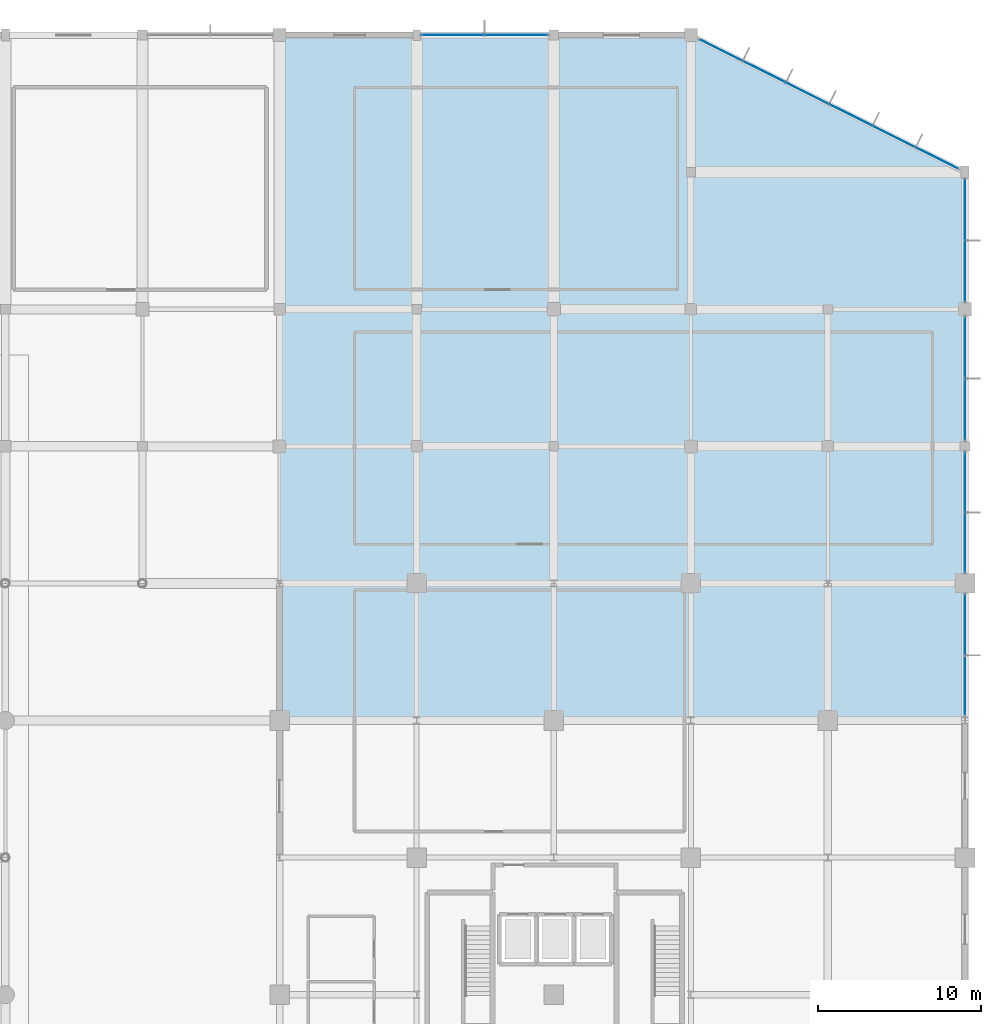
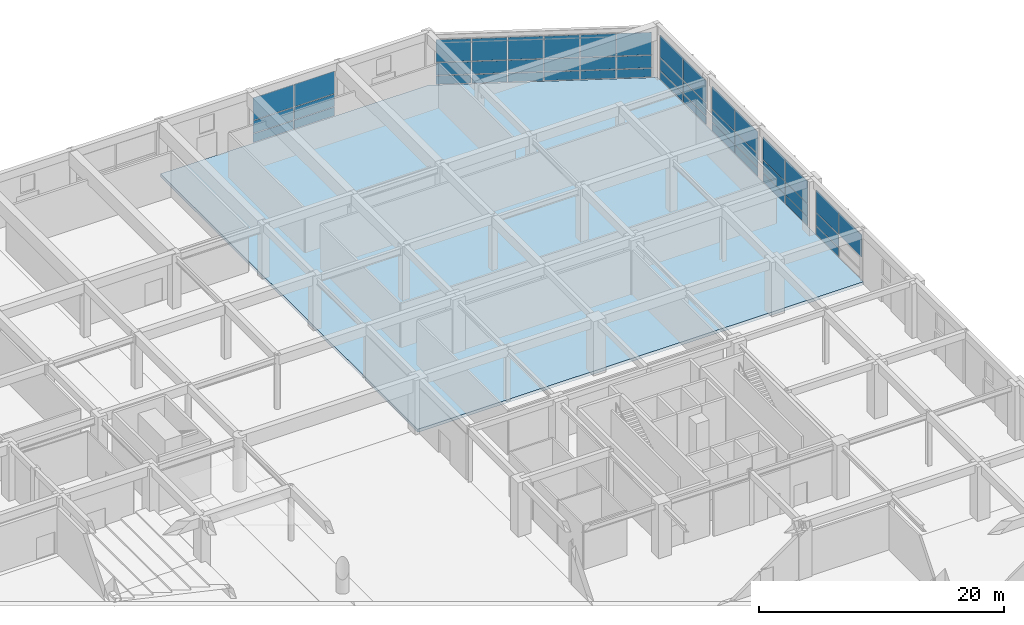
# One storey, part 40 of 62: 46 plates, 1 slab, 6 elements without a shape of their own.
"""IFC4 building model written with IfcOpenShell, lengths in metres."""

from ifc_helpers import new_model, si_unit, direction, frame, origin, origin_2d, place, context, subcontext, project, spatial, polyline, rectangle, outline, extrude, material, layer, layer_set, type_object, element, aggregate, save


model = new_model("IFC4")

# Units and contexts
model_context = context("Model", 3, precision=1e-05, world=origin(), true_north=direction((0.0, 1.0)))
body_context = subcontext(model_context, "Body", "Model", "MODEL_VIEW")
ifc_project = project(units=[si_unit("LENGTHUNIT", "METRE"), si_unit("AREAUNIT", "SQUARE_METRE"), si_unit("VOLUMEUNIT", "CUBIC_METRE"), si_unit("PLANEANGLEUNIT", "RADIAN"), si_unit("MASSUNIT", "GRAM", prefix="KILO")], contexts=[model_context])

# Site, building, storey
site_placement = place(None, origin())
site = spatial("IfcSite", under=ifc_project, at=site_placement, CompositionType="ELEMENT")
building_placement = place(site_placement, origin())
building = spatial("IfcBuilding", under=site, at=building_placement, Name="Xuanlan Plaza Opera House", CompositionType="ELEMENT")
storey_placement = place(building_placement, origin())
storey = spatial("IfcBuildingStorey", under=building, at=storey_placement, Name="L00", CompositionType="ELEMENT", Elevation=0.0)

# Curtain wall, plates
ifc_material_1 = material(Name="Anodised Aluminium 6063-T6 and Low-E Glass", Category="aluminium")
curtain_wall_type_1 = type_object("IfcCurtainWallType", Name="ENV-CW-CW-02", PredefinedType="USERDEFINED", material=ifc_material_1)
curtain_wall_1_placement = place(storey_placement, origin())
curtain_wall_1 = element("IfcCurtainWall", 1, at=curtain_wall_1_placement, inside=storey, type_object=curtain_wall_type_1, Name="Unitised Curtain Wall L00-028", ObjectType="UNITISED CURTAIN WALL", PredefinedType="USERDEFINED")
ifc_material_2 = material(Name="Laminated Acoustic Double Glazing", Category="glass")
ifc_layer_1 = layer(ifc_material_2, 0.028076171875)
ifc_layer_set_1 = layer_set([ifc_layer_1], Name="Laminated Acoustic Double Glazing")
plate_type_1 = type_object("IfcPlateType", Name="ENV-CWP-01", PredefinedType="CURTAIN_PANEL", material=ifc_layer_set_1)
plate_1_placement = place(storey_placement, frame((168.0, 94.657470703125, 0.074951171875), z_axis=(0.0, 0.0, 1.0), x_axis=(0.0, 1.0, 0.0)))
plate_1 = element("IfcPlate", 2, at=plate_1_placement, type_object=plate_type_1, Name="CW-02 panel 1.1", PredefinedType="CURTAIN_PANEL", context=body_context, shape_type="SweptSolid", body=[
    extrude(rectangle(XDim=3.695068359375, YDim=0.028076171875, at=origin_2d()), origin(), (0.0, 0.0, 1.0), 0.83740234375),
])
plate_2_placement = place(storey_placement, frame((168.0, 94.657470703125, 0.987548828125), z_axis=(0.0, 0.0, 1.0), x_axis=(0.0, 1.0, 0.0)))
plate_2 = element("IfcPlate", 3, at=plate_2_placement, type_object=plate_type_1, Name="CW-02 panel 1.2", PredefinedType="CURTAIN_PANEL", context=body_context, shape_type="SweptSolid", body=[
    extrude(rectangle(XDim=3.695068359375, YDim=0.028076171875, at=origin_2d()), origin(), (0.0, 0.0, 1.0), 1.22509765625),
])
plate_3_placement = place(storey_placement, frame((168.0, 94.657470703125, 2.28759765625), z_axis=(0.0, 0.0, 1.0), x_axis=(0.0, 1.0, 0.0)))
plate_3 = element("IfcPlate", 4, at=plate_3_placement, type_object=plate_type_1, Name="CW-02 panel 1.3", PredefinedType="CURTAIN_PANEL", context=body_context, shape_type="SweptSolid", body=[
    extrude(rectangle(XDim=3.695068359375, YDim=0.028076171875, at=origin_2d()), origin(), (0.0, 0.0, 1.0), 2.217529296875),
])
plate_4_placement = place(storey_placement, frame((168.0, 98.4423828125, 0.074951171875), z_axis=(0.0, 0.0, 1.0), x_axis=(0.0, 1.0, 0.0)))
plate_4 = element("IfcPlate", 5, at=plate_4_placement, type_object=plate_type_1, Name="CW-02 panel 2.1", PredefinedType="CURTAIN_PANEL", context=body_context, shape_type="SweptSolid", body=[
    extrude(rectangle(XDim=3.695068359375, YDim=0.028076171875, at=origin_2d()), origin(), (0.0, 0.0, 1.0), 0.83740234375),
])
plate_5_placement = place(storey_placement, frame((168.0, 98.4423828125, 0.987548828125), z_axis=(0.0, 0.0, 1.0), x_axis=(0.0, 1.0, 0.0)))
plate_5 = element("IfcPlate", 6, at=plate_5_placement, type_object=plate_type_1, Name="CW-02 panel 2.2", PredefinedType="CURTAIN_PANEL", context=body_context, shape_type="SweptSolid", body=[
    extrude(rectangle(XDim=3.695068359375, YDim=0.028076171875, at=origin_2d()), origin(), (0.0, 0.0, 1.0), 1.22509765625),
])
plate_6_placement = place(storey_placement, frame((168.0, 98.4423828125, 2.28759765625), z_axis=(0.0, 0.0, 1.0), x_axis=(0.0, 1.0, 0.0)))
plate_6 = element("IfcPlate", 7, at=plate_6_placement, type_object=plate_type_1, Name="CW-02 panel 2.3", PredefinedType="CURTAIN_PANEL", context=body_context, shape_type="SweptSolid", body=[
    extrude(rectangle(XDim=3.695068359375, YDim=0.028076171875, at=origin_2d()), origin(), (0.0, 0.0, 1.0), 2.217529296875),
])
aggregate(curtain_wall_1, [plate_1, plate_2, plate_3, plate_4, plate_5, plate_6])

curtain_wall_type_2 = type_object("IfcCurtainWallType", Name="ENV-CW-CW-04", PredefinedType="USERDEFINED", material=ifc_material_1)
curtain_wall_2_placement = place(storey_placement, origin())
curtain_wall_2 = element("IfcCurtainWall", 8, at=curtain_wall_2_placement, inside=storey, type_object=curtain_wall_type_2, Name="Unitised Curtain Wall L00-030", ObjectType="UNITISED CURTAIN WALL", PredefinedType="USERDEFINED")
ifc_layer_2 = layer(ifc_material_2, 0.031982421875)
ifc_layer_set_2 = layer_set([ifc_layer_2], Name="Laminated Acoustic Double Glazing")
plate_type_2 = type_object("IfcPlateType", Name="ENV-CWP-02", PredefinedType="CURTAIN_PANEL", material=ifc_layer_set_2)
plate_7_placement = place(storey_placement, frame((166.2841796875, 110.057861328125, 0.06982421875), z_axis=(0.0, 0.0, 1.0), x_axis=(-0.894427191001, 0.447213595499, 0.0)))
plate_7 = element("IfcPlate", 9, at=plate_7_placement, type_object=plate_type_2, Name="CW-04 panel 1.1", PredefinedType="CURTAIN_PANEL", context=body_context, shape_type="SweptSolid", body=[
    extrude(rectangle(XDim=2.857666015625, YDim=0.031982421875, at=origin_2d()), origin(), (0.0, 0.0, 1.0), 0.844970703125),
])
plate_8_placement = place(storey_placement, frame((166.2841796875, 110.057861328125, 0.985107421875), z_axis=(0.0, 0.0, 1.0), x_axis=(-0.894427191001, 0.447213595499, 0.0)))
plate_8 = element("IfcPlate", 10, at=plate_8_placement, type_object=plate_type_2, Name="CW-04 panel 1.2", PredefinedType="CURTAIN_PANEL", context=body_context, shape_type="SweptSolid", body=[
    extrude(rectangle(XDim=2.857666015625, YDim=0.031982421875, at=origin_2d()), origin(), (0.0, 0.0, 1.0), 1.22998046875),
])
plate_9_placement = place(storey_placement, frame((166.2841796875, 110.057861328125, 2.284912109375), z_axis=(0.0, 0.0, 1.0), x_axis=(-0.894427191001, 0.447213595499, 0.0)))
plate_9 = element("IfcPlate", 11, at=plate_9_placement, type_object=plate_type_2, Name="CW-04 panel 1.3", PredefinedType="CURTAIN_PANEL", context=body_context, shape_type="SweptSolid", body=[
    extrude(rectangle(XDim=2.857666015625, YDim=0.031982421875, at=origin_2d()), origin(), (0.0, 0.0, 1.0), 2.22509765625),
])
plate_10_placement = place(storey_placement, frame((163.64990234375, 111.375, 0.06982421875), z_axis=(0.0, 0.0, 1.0), x_axis=(-0.894427191001, 0.447213595499, 0.0)))
plate_10 = element("IfcPlate", 12, at=plate_10_placement, type_object=plate_type_2, Name="CW-04 panel 2.1", PredefinedType="CURTAIN_PANEL", context=body_context, shape_type="SweptSolid", body=[
    extrude(rectangle(XDim=2.892822265625, YDim=0.031982421875, at=origin_2d()), origin(), (0.0, 0.0, 1.0), 0.844970703125),
])
plate_11_placement = place(storey_placement, frame((163.64990234375, 111.375, 0.985107421875), z_axis=(0.0, 0.0, 1.0), x_axis=(-0.894427191001, 0.447213595499, 0.0)))
plate_11 = element("IfcPlate", 13, at=plate_11_placement, type_object=plate_type_2, Name="CW-04 panel 2.2", PredefinedType="CURTAIN_PANEL", context=body_context, shape_type="SweptSolid", body=[
    extrude(rectangle(XDim=2.892822265625, YDim=0.031982421875, at=origin_2d()), origin(), (0.0, 0.0, 1.0), 1.22998046875),
])
plate_12_placement = place(storey_placement, frame((163.64990234375, 111.375, 2.284912109375), z_axis=(0.0, 0.0, 1.0), x_axis=(-0.894427191001, 0.447213595499, 0.0)))
plate_12 = element("IfcPlate", 14, at=plate_12_placement, type_object=plate_type_2, Name="CW-04 panel 2.3", PredefinedType="CURTAIN_PANEL", context=body_context, shape_type="SweptSolid", body=[
    extrude(rectangle(XDim=2.892822265625, YDim=0.031982421875, at=origin_2d()), origin(), (0.0, 0.0, 1.0), 2.22509765625),
])
plate_13_placement = place(storey_placement, frame((161.0, 112.699951171875, 0.06982421875), z_axis=(0.0, 0.0, 1.0), x_axis=(-0.894427191001, 0.447213595499, 0.0)))
plate_13 = element("IfcPlate", 15, at=plate_13_placement, type_object=plate_type_2, Name="CW-04 panel 3.1", PredefinedType="CURTAIN_PANEL", context=body_context, shape_type="SweptSolid", body=[
    extrude(rectangle(XDim=2.892822265625, YDim=0.031982421875, at=origin_2d()), origin(), (0.0, 0.0, 1.0), 0.844970703125),
])
plate_14_placement = place(storey_placement, frame((161.0, 112.699951171875, 0.985107421875), z_axis=(0.0, 0.0, 1.0), x_axis=(-0.894427191001, 0.447213595499, 0.0)))
plate_14 = element("IfcPlate", 16, at=plate_14_placement, type_object=plate_type_2, Name="CW-04 panel 3.2", PredefinedType="CURTAIN_PANEL", context=body_context, shape_type="SweptSolid", body=[
    extrude(rectangle(XDim=2.892822265625, YDim=0.031982421875, at=origin_2d()), origin(), (0.0, 0.0, 1.0), 1.22998046875),
])
plate_15_placement = place(storey_placement, frame((161.0, 112.699951171875, 2.284912109375), z_axis=(0.0, 0.0, 1.0), x_axis=(-0.894427191001, 0.447213595499, 0.0)))
plate_15 = element("IfcPlate", 17, at=plate_15_placement, type_object=plate_type_2, Name="CW-04 panel 3.3", PredefinedType="CURTAIN_PANEL", context=body_context, shape_type="SweptSolid", body=[
    extrude(rectangle(XDim=2.892822265625, YDim=0.031982421875, at=origin_2d()), origin(), (0.0, 0.0, 1.0), 2.22509765625),
])
plate_16_placement = place(storey_placement, frame((158.35009765625, 114.02490234375, 0.06982421875), z_axis=(0.0, 0.0, 1.0), x_axis=(-0.894427191001, 0.447213595499, 0.0)))
plate_16 = element("IfcPlate", 18, at=plate_16_placement, type_object=plate_type_2, Name="CW-04 panel 4.1", PredefinedType="CURTAIN_PANEL", context=body_context, shape_type="SweptSolid", body=[
    extrude(rectangle(XDim=2.892822265625, YDim=0.031982421875, at=origin_2d()), origin(), (0.0, 0.0, 1.0), 0.844970703125),
])
plate_17_placement = place(storey_placement, frame((158.35009765625, 114.02490234375, 0.985107421875), z_axis=(0.0, 0.0, 1.0), x_axis=(-0.894427191001, 0.447213595499, 0.0)))
plate_17 = element("IfcPlate", 19, at=plate_17_placement, type_object=plate_type_2, Name="CW-04 panel 4.2", PredefinedType="CURTAIN_PANEL", context=body_context, shape_type="SweptSolid", body=[
    extrude(rectangle(XDim=2.892822265625, YDim=0.031982421875, at=origin_2d()), origin(), (0.0, 0.0, 1.0), 1.22998046875),
])
plate_18_placement = place(storey_placement, frame((158.35009765625, 114.02490234375, 2.284912109375), z_axis=(0.0, 0.0, 1.0), x_axis=(-0.894427191001, 0.447213595499, 0.0)))
plate_18 = element("IfcPlate", 20, at=plate_18_placement, type_object=plate_type_2, Name="CW-04 panel 4.3", PredefinedType="CURTAIN_PANEL", context=body_context, shape_type="SweptSolid", body=[
    extrude(rectangle(XDim=2.892822265625, YDim=0.031982421875, at=origin_2d()), origin(), (0.0, 0.0, 1.0), 2.22509765625),
])
plate_19_placement = place(storey_placement, frame((155.7001953125, 115.349853515625, 0.06982421875), z_axis=(0.0, 0.0, 1.0), x_axis=(-0.894427191001, 0.447213595499, 0.0)))
plate_19 = element("IfcPlate", 21, at=plate_19_placement, type_object=plate_type_2, Name="CW-04 panel 5.1", PredefinedType="CURTAIN_PANEL", context=body_context, shape_type="SweptSolid", body=[
    extrude(rectangle(XDim=2.892822265625, YDim=0.031982421875, at=origin_2d()), origin(), (0.0, 0.0, 1.0), 0.844970703125),
])
plate_20_placement = place(storey_placement, frame((155.7001953125, 115.349853515625, 0.985107421875), z_axis=(0.0, 0.0, 1.0), x_axis=(-0.894427191001, 0.447213595499, 0.0)))
plate_20 = element("IfcPlate", 22, at=plate_20_placement, type_object=plate_type_2, Name="CW-04 panel 5.2", PredefinedType="CURTAIN_PANEL", context=body_context, shape_type="SweptSolid", body=[
    extrude(rectangle(XDim=2.892822265625, YDim=0.031982421875, at=origin_2d()), origin(), (0.0, 0.0, 1.0), 1.22998046875),
])
plate_21_placement = place(storey_placement, frame((155.7001953125, 115.349853515625, 2.284912109375), z_axis=(0.0, 0.0, 1.0), x_axis=(-0.894427191001, 0.447213595499, 0.0)))
plate_21 = element("IfcPlate", 23, at=plate_21_placement, type_object=plate_type_2, Name="CW-04 panel 5.3", PredefinedType="CURTAIN_PANEL", context=body_context, shape_type="SweptSolid", body=[
    extrude(rectangle(XDim=2.892822265625, YDim=0.031982421875, at=origin_2d()), origin(), (0.0, 0.0, 1.0), 2.22509765625),
])
plate_22_placement = place(storey_placement, frame((153.06591796875, 116.6669921875, 0.06982421875), z_axis=(0.0, 0.0, 1.0), x_axis=(-0.894427191001, 0.447213595499, 0.0)))
plate_22 = element("IfcPlate", 24, at=plate_22_placement, type_object=plate_type_2, Name="CW-04 panel 6.1", PredefinedType="CURTAIN_PANEL", context=body_context, shape_type="SweptSolid", body=[
    extrude(rectangle(XDim=2.857666015625, YDim=0.031982421875, at=origin_2d()), origin(), (0.0, 0.0, 1.0), 0.844970703125),
])
plate_23_placement = place(storey_placement, frame((153.06591796875, 116.6669921875, 0.985107421875), z_axis=(0.0, 0.0, 1.0), x_axis=(-0.894427191001, 0.447213595499, 0.0)))
plate_23 = element("IfcPlate", 25, at=plate_23_placement, type_object=plate_type_2, Name="CW-04 panel 6.2", PredefinedType="CURTAIN_PANEL", context=body_context, shape_type="SweptSolid", body=[
    extrude(rectangle(XDim=2.857666015625, YDim=0.031982421875, at=origin_2d()), origin(), (0.0, 0.0, 1.0), 1.22998046875),
])
plate_24_placement = place(storey_placement, frame((153.06591796875, 116.6669921875, 2.284912109375), z_axis=(0.0, 0.0, 1.0), x_axis=(-0.894427191001, 0.447213595499, 0.0)))
plate_24 = element("IfcPlate", 26, at=plate_24_placement, type_object=plate_type_2, Name="CW-04 panel 6.3", PredefinedType="CURTAIN_PANEL", context=body_context, shape_type="SweptSolid", body=[
    extrude(rectangle(XDim=2.857666015625, YDim=0.031982421875, at=origin_2d()), origin(), (0.0, 0.0, 1.0), 2.22509765625),
])
aggregate(curtain_wall_2, [plate_7, plate_8, plate_9, plate_10, plate_11, plate_12, plate_13, plate_14, plate_15, plate_16, plate_17, plate_18, plate_19, plate_20, plate_21, plate_22, plate_23, plate_24])

curtain_wall_type_3 = type_object("IfcCurtainWallType", Name="ENV-CW-CW-01", PredefinedType="USERDEFINED", material=ifc_material_1)
curtain_wall_3_placement = place(storey_placement, origin())
curtain_wall_3 = element("IfcCurtainWall", 27, at=curtain_wall_3_placement, inside=storey, type_object=curtain_wall_type_3, Name="Unitised Curtain Wall L00-027", ObjectType="UNITISED CURTAIN WALL", PredefinedType="USERDEFINED")
ifc_layer_3 = layer(ifc_material_2, 0.035888671875)
ifc_layer_set_3 = layer_set([ifc_layer_3], Name="Laminated Acoustic Double Glazing")
plate_type_3 = type_object("IfcPlateType", Name="ENV-CWP-03", PredefinedType="CURTAIN_PANEL", material=ifc_layer_set_3)
plate_25_placement = place(storey_placement, frame((168.0, 86.5048828125, 0.06494140625), z_axis=(0.0, 0.0, 1.0), x_axis=(0.0, 1.0, 0.0)))
plate_25 = element("IfcPlate", 28, at=plate_25_placement, type_object=plate_type_3, Name="CW-01 panel 1.1", PredefinedType="CURTAIN_PANEL", context=body_context, shape_type="SweptSolid", body=[
    extrude(rectangle(XDim=3.610107421875, YDim=0.035888671875, at=origin_2d()), origin(), (0.0, 0.0, 1.0), 0.8525390625),
])
plate_26_placement = place(storey_placement, frame((168.0, 86.5048828125, 0.982421875), z_axis=(0.0, 0.0, 1.0), x_axis=(0.0, 1.0, 0.0)))
plate_26 = element("IfcPlate", 29, at=plate_26_placement, type_object=plate_type_3, Name="CW-01 panel 1.2", PredefinedType="CURTAIN_PANEL", context=body_context, shape_type="SweptSolid", body=[
    extrude(rectangle(XDim=3.610107421875, YDim=0.035888671875, at=origin_2d()), origin(), (0.0, 0.0, 1.0), 1.235107421875),
])
plate_27_placement = place(storey_placement, frame((168.0, 86.5048828125, 2.282470703125), z_axis=(0.0, 0.0, 1.0), x_axis=(0.0, 1.0, 0.0)))
plate_27 = element("IfcPlate", 30, at=plate_27_placement, type_object=plate_type_3, Name="CW-01 panel 1.3", PredefinedType="CURTAIN_PANEL", context=body_context, shape_type="SweptSolid", body=[
    extrude(rectangle(XDim=3.610107421875, YDim=0.035888671875, at=origin_2d()), origin(), (0.0, 0.0, 1.0), 2.232421875),
])
plate_28_placement = place(storey_placement, frame((168.0, 90.195068359375, 0.06494140625), z_axis=(0.0, 0.0, 1.0), x_axis=(0.0, 1.0, 0.0)))
plate_28 = element("IfcPlate", 31, at=plate_28_placement, type_object=plate_type_3, Name="CW-01 panel 2.1", PredefinedType="CURTAIN_PANEL", context=body_context, shape_type="SweptSolid", body=[
    extrude(rectangle(XDim=3.610107421875, YDim=0.035888671875, at=origin_2d()), origin(), (0.0, 0.0, 1.0), 0.8525390625),
])
plate_29_placement = place(storey_placement, frame((168.0, 90.195068359375, 0.982421875), z_axis=(0.0, 0.0, 1.0), x_axis=(0.0, 1.0, 0.0)))
plate_29 = element("IfcPlate", 32, at=plate_29_placement, type_object=plate_type_3, Name="CW-01 panel 2.2", PredefinedType="CURTAIN_PANEL", context=body_context, shape_type="SweptSolid", body=[
    extrude(rectangle(XDim=3.610107421875, YDim=0.035888671875, at=origin_2d()), origin(), (0.0, 0.0, 1.0), 1.235107421875),
])
plate_30_placement = place(storey_placement, frame((168.0, 90.195068359375, 2.282470703125), z_axis=(0.0, 0.0, 1.0), x_axis=(0.0, 1.0, 0.0)))
plate_30 = element("IfcPlate", 33, at=plate_30_placement, type_object=plate_type_3, Name="CW-01 panel 2.3", PredefinedType="CURTAIN_PANEL", context=body_context, shape_type="SweptSolid", body=[
    extrude(rectangle(XDim=3.610107421875, YDim=0.035888671875, at=origin_2d()), origin(), (0.0, 0.0, 1.0), 2.232421875),
])
aggregate(curtain_wall_3, [plate_25, plate_26, plate_27, plate_28, plate_29, plate_30])

curtain_wall_4_placement = place(storey_placement, origin())
curtain_wall_4 = element("IfcCurtainWall", 34, at=curtain_wall_4_placement, inside=storey, type_object=curtain_wall_type_1, Name="Unitised Curtain Wall L00-032", ObjectType="UNITISED CURTAIN WALL", PredefinedType="USERDEFINED")
plate_31_placement = place(storey_placement, frame((140.501220703125, 117.60009765625, 0.06494140625), z_axis=(0.0, 0.0, 1.0), x_axis=(-1.0, 0.0, 0.0)))
plate_31 = element("IfcPlate", 35, at=plate_31_placement, type_object=plate_type_3, Name="CW-02 panel 1.1", PredefinedType="CURTAIN_PANEL", context=body_context, shape_type="SweptSolid", body=[
    extrude(rectangle(XDim=3.797607421875, YDim=0.035888671875, at=origin_2d()), origin(), (0.0, 0.0, 1.0), 0.8525390625),
])
plate_32_placement = place(storey_placement, frame((140.501220703125, 117.60009765625, 0.982421875), z_axis=(0.0, 0.0, 1.0), x_axis=(-1.0, 0.0, 0.0)))
plate_32 = element("IfcPlate", 36, at=plate_32_placement, type_object=plate_type_3, Name="CW-02 panel 1.2", PredefinedType="CURTAIN_PANEL", context=body_context, shape_type="SweptSolid", body=[
    extrude(rectangle(XDim=3.797607421875, YDim=0.035888671875, at=origin_2d()), origin(), (0.0, 0.0, 1.0), 1.235107421875),
])
plate_33_placement = place(storey_placement, frame((140.501220703125, 117.60009765625, 2.282470703125), z_axis=(0.0, 0.0, 1.0), x_axis=(-1.0, 0.0, 0.0)))
plate_33 = element("IfcPlate", 37, at=plate_33_placement, type_object=plate_type_3, Name="CW-02 panel 1.3", PredefinedType="CURTAIN_PANEL", context=body_context, shape_type="SweptSolid", body=[
    extrude(rectangle(XDim=3.797607421875, YDim=0.035888671875, at=origin_2d()), origin(), (0.0, 0.0, 1.0), 2.232421875),
])
plate_34_placement = place(storey_placement, frame((136.623779296875, 117.60009765625, 0.06494140625), z_axis=(0.0, 0.0, 1.0), x_axis=(-1.0, 0.0, 0.0)))
plate_34 = element("IfcPlate", 38, at=plate_34_placement, type_object=plate_type_3, Name="CW-02 panel 2.1", PredefinedType="CURTAIN_PANEL", context=body_context, shape_type="SweptSolid", body=[
    extrude(rectangle(XDim=3.797607421875, YDim=0.035888671875, at=origin_2d()), origin(), (0.0, 0.0, 1.0), 0.8525390625),
])
plate_35_placement = place(storey_placement, frame((136.623779296875, 117.60009765625, 0.982421875), z_axis=(0.0, 0.0, 1.0), x_axis=(-1.0, 0.0, 0.0)))
plate_35 = element("IfcPlate", 39, at=plate_35_placement, type_object=plate_type_3, Name="CW-02 panel 2.2", PredefinedType="CURTAIN_PANEL", context=body_context, shape_type="SweptSolid", body=[
    extrude(rectangle(XDim=3.797607421875, YDim=0.035888671875, at=origin_2d()), origin(), (0.0, 0.0, 1.0), 1.235107421875),
])
plate_36_placement = place(storey_placement, frame((136.623779296875, 117.60009765625, 2.282470703125), z_axis=(0.0, 0.0, 1.0), x_axis=(-1.0, 0.0, 0.0)))
plate_36 = element("IfcPlate", 40, at=plate_36_placement, type_object=plate_type_3, Name="CW-02 panel 2.3", PredefinedType="CURTAIN_PANEL", context=body_context, shape_type="SweptSolid", body=[
    extrude(rectangle(XDim=3.797607421875, YDim=0.035888671875, at=origin_2d()), origin(), (0.0, 0.0, 1.0), 2.232421875),
])
aggregate(curtain_wall_4, [plate_31, plate_32, plate_33, plate_34, plate_35, plate_36])

curtain_wall_type_4 = type_object("IfcCurtainWallType", Name="ENV-CW-CW-03", PredefinedType="USERDEFINED", material=ifc_material_1)
curtain_wall_5_placement = place(storey_placement, origin())
curtain_wall_5 = element("IfcCurtainWall", 41, at=curtain_wall_5_placement, inside=storey, type_object=curtain_wall_type_4, Name="Unitised Curtain Wall L00-029", ObjectType="UNITISED CURTAIN WALL", PredefinedType="USERDEFINED")
ifc_layer_4 = layer(ifc_material_2, 0.0400390625)
ifc_layer_set_4 = layer_set([ifc_layer_4], Name="Laminated Acoustic Double Glazing")
plate_type_4 = type_object("IfcPlateType", Name="ENV-CWP-04", PredefinedType="CURTAIN_PANEL", material=ifc_layer_set_4)
plate_37_placement = place(storey_placement, frame((168.0, 103.132568359375, 0.090087890625), z_axis=(0.0, 0.0, 1.0), x_axis=(0.0, 1.0, 0.0)))
plate_37 = element("IfcPlate", 42, at=plate_37_placement, type_object=plate_type_4, Name="CW-03 panel 1.1", PredefinedType="CURTAIN_PANEL", context=body_context, shape_type="SweptSolid", body=[
    extrude(rectangle(XDim=3.695068359375, YDim=0.0400390625, at=origin_2d()), origin(), (0.0, 0.0, 1.0), 0.81494140625),
])
plate_38_placement = place(storey_placement, frame((168.0, 103.132568359375, 0.9951171875), z_axis=(0.0, 0.0, 1.0), x_axis=(0.0, 1.0, 0.0)))
plate_38 = element("IfcPlate", 43, at=plate_38_placement, type_object=plate_type_4, Name="CW-03 panel 1.2", PredefinedType="CURTAIN_PANEL", context=body_context, shape_type="SweptSolid", body=[
    extrude(rectangle(XDim=3.695068359375, YDim=0.0400390625, at=origin_2d()), origin(), (0.0, 0.0, 1.0), 1.2099609375),
])
plate_39_placement = place(storey_placement, frame((168.0, 103.132568359375, 2.294921875), z_axis=(0.0, 0.0, 1.0), x_axis=(0.0, 1.0, 0.0)))
plate_39 = element("IfcPlate", 44, at=plate_39_placement, type_object=plate_type_4, Name="CW-03 panel 1.3", PredefinedType="CURTAIN_PANEL", context=body_context, shape_type="SweptSolid", body=[
    extrude(rectangle(XDim=3.695068359375, YDim=0.0400390625, at=origin_2d()), origin(), (0.0, 0.0, 1.0), 2.195068359375),
])
plate_40_placement = place(storey_placement, frame((168.0, 106.892578125, 0.090087890625), z_axis=(0.0, 0.0, 1.0), x_axis=(0.0, 1.0, 0.0)))
plate_40 = element("IfcPlate", 45, at=plate_40_placement, type_object=plate_type_4, Name="CW-03 panel 2.1", PredefinedType="CURTAIN_PANEL", context=body_context, shape_type="SweptSolid", body=[
    extrude(rectangle(XDim=3.695068359375, YDim=0.0400390625, at=origin_2d()), origin(), (0.0, 0.0, 1.0), 0.81494140625),
])
plate_41_placement = place(storey_placement, frame((168.0, 106.892578125, 0.9951171875), z_axis=(0.0, 0.0, 1.0), x_axis=(0.0, 1.0, 0.0)))
plate_41 = element("IfcPlate", 46, at=plate_41_placement, type_object=plate_type_4, Name="CW-03 panel 2.2", PredefinedType="CURTAIN_PANEL", context=body_context, shape_type="SweptSolid", body=[
    extrude(rectangle(XDim=3.695068359375, YDim=0.0400390625, at=origin_2d()), origin(), (0.0, 0.0, 1.0), 1.2099609375),
])
plate_42_placement = place(storey_placement, frame((168.0, 106.892578125, 2.294921875), z_axis=(0.0, 0.0, 1.0), x_axis=(0.0, 1.0, 0.0)))
plate_42 = element("IfcPlate", 47, at=plate_42_placement, type_object=plate_type_4, Name="CW-03 panel 2.3", PredefinedType="CURTAIN_PANEL", context=body_context, shape_type="SweptSolid", body=[
    extrude(rectangle(XDim=3.695068359375, YDim=0.0400390625, at=origin_2d()), origin(), (0.0, 0.0, 1.0), 2.195068359375),
])
aggregate(curtain_wall_5, [plate_37, plate_38, plate_39, plate_40, plate_41, plate_42])

curtain_wall_6_placement = place(storey_placement, origin())
curtain_wall_6 = element("IfcCurtainWall", 48, at=curtain_wall_6_placement, inside=storey, type_object=curtain_wall_type_2, Name="Unitised Curtain Wall L00-026", ObjectType="UNITISED CURTAIN WALL", PredefinedType="USERDEFINED")
ifc_layer_5 = layer(ifc_material_2, 0.0439453125)
ifc_layer_set_5 = layer_set([ifc_layer_5], Name="Laminated Acoustic Double Glazing")
plate_type_5 = type_object("IfcPlateType", Name="ENV-CWP-05", PredefinedType="CURTAIN_PANEL", material=ifc_layer_set_5)
plate_43_placement = place(storey_placement, frame((168.0, 77.73388671875, 2.2900390625), z_axis=(0.0, 0.0, 1.0), x_axis=(0.0, 1.0, 0.0)))
plate_43 = element("IfcPlate", 49, at=plate_43_placement, type_object=plate_type_5, Name="CW-04 panel 1.3", PredefinedType="CURTAIN_PANEL", context=body_context, shape_type="SweptSolid", body=[
    extrude(rectangle(XDim=3.6640625, YDim=0.0439453125, at=origin_2d()), origin(), (0.0, 0.0, 1.0), 2.2099609375),
])
plate_44_placement = place(storey_placement, frame((168.0, 81.472900390625, 0.080078125), z_axis=(0.0, 0.0, 1.0), x_axis=(0.0, 1.0, 0.0)))
plate_44 = element("IfcPlate", 50, at=plate_44_placement, type_object=plate_type_5, Name="CW-04 panel 2.1", PredefinedType="CURTAIN_PANEL", context=body_context, shape_type="SweptSolid", body=[
    extrude(rectangle(XDim=3.6640625, YDim=0.0439453125, at=origin_2d()), origin(), (0.0, 0.0, 1.0), 0.830078125),
])
plate_45_placement = place(storey_placement, frame((168.0, 81.472900390625, 0.990234375), z_axis=(0.0, 0.0, 1.0), x_axis=(0.0, 1.0, 0.0)))
plate_45 = element("IfcPlate", 51, at=plate_45_placement, type_object=plate_type_5, Name="CW-04 panel 2.2", PredefinedType="CURTAIN_PANEL", context=body_context, shape_type="SweptSolid", body=[
    extrude(rectangle(XDim=3.6640625, YDim=0.0439453125, at=origin_2d()), origin(), (0.0, 0.0, 1.0), 1.219970703125),
])
plate_46_placement = place(storey_placement, frame((168.0, 81.472900390625, 2.2900390625), z_axis=(0.0, 0.0, 1.0), x_axis=(0.0, 1.0, 0.0)))
plate_46 = element("IfcPlate", 52, at=plate_46_placement, type_object=plate_type_5, Name="CW-04 panel 2.3", PredefinedType="CURTAIN_PANEL", context=body_context, shape_type="SweptSolid", body=[
    extrude(rectangle(XDim=3.6640625, YDim=0.0439453125, at=origin_2d()), origin(), (0.0, 0.0, 1.0), 2.2099609375),
])
aggregate(curtain_wall_6, [plate_43, plate_44, plate_45, plate_46])

# Slab
ifc_material_3 = material(Name="Concrete C50", Category="concrete")
ifc_layer_6 = layer(ifc_material_3, 0.300048828125)
ifc_layer_set_6 = layer_set([ifc_layer_6], Name="Concrete C50")
slab_type = type_object("IfcSlabType", Name="STR-SLB-SL-01", PredefinedType="FLOOR", material=ifc_layer_set_6)
slab_placement = place(storey_placement, frame((0.0, 0.0, -0.300048828125)))
element("IfcSlab", 53, at=slab_placement, inside=storey, type_object=slab_type, Name="Storey L00 Structural Floor Slab Zone 15", PredefinedType="FLOOR", context=body_context, shape_type="SweptSolid", body=[
    extrude(outline(polyline([(168.0, 109.199951171875), (168.0, 75.60009765625), (126.0, 75.60009765625), (126.0, 117.60009765625), (151.199951171875, 117.60009765625), (168.0, 109.199951171875)])), origin(), (0.0, 0.0, 1.0), 0.300048828125),
])

save(model, "model.ifc")
